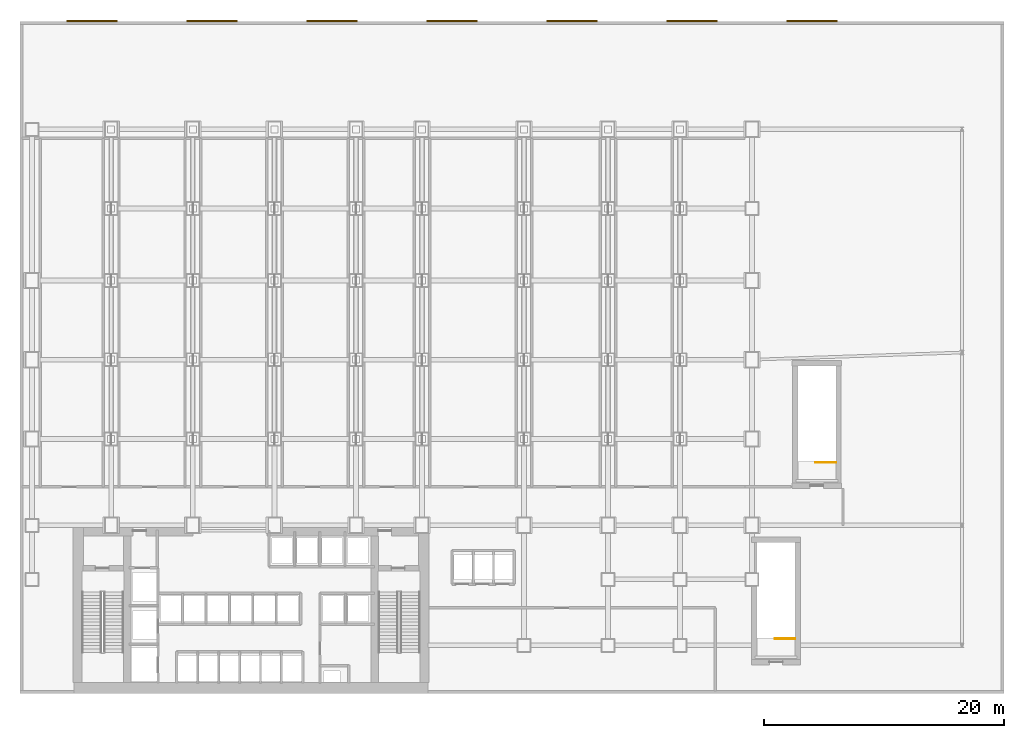
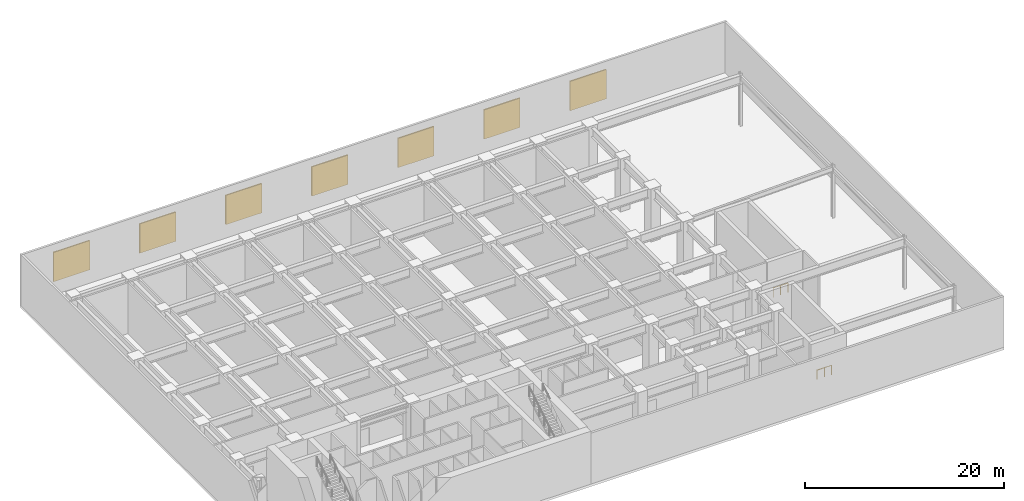
# One storey, part 15 of 15: 7 shading devices, 2 railings.
"""IFC4 building model written with IfcOpenShell, lengths in metres."""

from ifc_helpers import new_model, si_unit, derived_unit, direction, frame, origin, origin_2d, place, context, subcontext, project, spatial, rectangle, circle, extrude, source, transform, mapped, material, type_object, element, save


model = new_model("IFC4")

# Units and contexts
model_context = context("Model", 3, precision=1e-05, world=origin(), true_north=direction((0.0, 1.0)))
body_context = subcontext(model_context, "Body", "Model", "MODEL_VIEW")
ifc_project = project(units=[si_unit("LENGTHUNIT", "METRE"), si_unit("AREAUNIT", "SQUARE_METRE"), si_unit("VOLUMEUNIT", "CUBIC_METRE"), si_unit("PLANEANGLEUNIT", "RADIAN"), si_unit("MASSUNIT", "GRAM", prefix="KILO"), derived_unit("THERMALTRANSMITTANCEUNIT", [(si_unit("POWERUNIT", "WATT"), 1), (si_unit("LENGTHUNIT", "METRE"), -2), (si_unit("THERMODYNAMICTEMPERATUREUNIT", "KELVIN"), -1)])], contexts=[model_context])

# Site, building, storey
site_placement = place(None, origin())
site = spatial("IfcSite", under=ifc_project, at=site_placement, CompositionType="ELEMENT")
building_placement = place(site_placement, origin())
building = spatial("IfcBuilding", under=site, at=building_placement, Name="Skarnbrae Concourse Arena and Tower", CompositionType="ELEMENT")
storey_placement = place(building_placement, frame((0.0, 0.0, 26.0)))
storey = spatial("IfcBuildingStorey", under=building, at=storey_placement, Name="L05", CompositionType="ELEMENT", Elevation=26.0)

# Railings
ifc_material_1 = material(Name="Steel CSA G40.21 350W", Category="steel")
railing_type = type_object("IfcRailingType", Name="RAIL-STAIR-GUARD-1150", PredefinedType="GUARDRAIL", material=ifc_material_1)
railing_1_placement = place(storey_placement, frame((64.60009765625, 4.550048828125, 0.0)))
element("IfcRailing", 1, at=railing_1_placement, inside=storey, type_object=railing_type, Name="L05 ST-A1 top well guard 1", PredefinedType="GUARDRAIL", context=body_context, shape_type="SweptSolid", body=[
    extrude(circle(Radius=0.02392578125, at=origin_2d()), frame((0.0, 0.0, 1.1259765625), z_axis=(-1.0, 0.0, 0.0), x_axis=(0.0, -1.0, 0.0)), (0.0, 0.0, 1.0), 1.7001953125),
    extrude(circle(Radius=0.02099609375, at=origin_2d()), origin(), (0.0, 0.0, 1.0), 1.101806640625),
    extrude(circle(Radius=0.02099609375, at=origin_2d()), frame((-0.85009765625, 0.0, 0.0)), (0.0, 0.0, 1.0), 1.101806640625),
    extrude(circle(Radius=0.02099609375, at=origin_2d()), frame((-1.7001953125, 0.0, 0.0)), (0.0, 0.0, 1.0), 1.101806640625),
])
railing_2_placement = place(storey_placement, frame((68.0, 19.25, 0.0)))
element("IfcRailing", 2, at=railing_2_placement, inside=storey, type_object=railing_type, Name="L05 ST-A2 top well guard 1", PredefinedType="GUARDRAIL", context=body_context, shape_type="SweptSolid", body=[
    extrude(circle(Radius=0.02392578125, at=origin_2d()), frame((0.0, 0.0, 1.1259765625), z_axis=(-1.0, 0.0, 0.0), x_axis=(0.0, -1.0, 0.0)), (0.0, 0.0, 1.0), 1.699951171875),
    extrude(circle(Radius=0.02099609375, at=origin_2d()), origin(), (0.0, 0.0, 1.0), 1.101806640625),
    extrude(circle(Radius=0.02099609375, at=origin_2d()), frame((-0.85009765625, 0.0, 0.0)), (0.0, 0.0, 1.0), 1.101806640625),
    extrude(circle(Radius=0.02099609375, at=origin_2d()), frame((-1.699951171875, 0.0, 0.0)), (0.0, 0.0, 1.0), 1.101806640625),
])

# Shading devices
ifc_material_2 = material(Name="Bronze anodised aluminium 6063-T6", Category="aluminium")
shading_device_type = type_object("IfcShadingDeviceType", Name="SHD-BRONZE-LOUVRE-150", PredefinedType="USERDEFINED", material=ifc_material_2)
shared_shape = source(origin(), body_context, "Body", "SweptSolid", [
    extrude(rectangle(XDim=4.199951171875, YDim=0.139892578125, at=origin_2d()), origin(), (0.0, 0.0, 1.0), 3.60009765625),
])
for number, where, z_axis, x_axis, name in (
    (3, (6.0, 56.0400390625, 1.449951171875), (0.0, 0.0, 1.0), (1.0, 0.0, 0.0), "L05 Transfer plant acoustic intake louvre N01"),
    (4, (16.0, 56.0400390625, 1.449951171875), (0.0, 0.0, 1.0), (1.0, 0.0, 0.0), "L05 Transfer plant acoustic intake louvre N02"),
    (5, (26.0, 56.0400390625, 1.449951171875), (0.0, 0.0, 1.0), (1.0, 0.0, 0.0), "L05 Transfer plant acoustic intake louvre N03"),
    (6, (36.0, 56.0400390625, 1.449951171875), (0.0, 0.0, 1.0), (1.0, 0.0, 0.0), "L05 Transfer plant acoustic intake louvre N04"),
    (7, (46.0, 56.0400390625, 1.449951171875), (0.0, 0.0, 1.0), (1.0, 0.0, 0.0), "L05 Transfer plant acoustic intake louvre N05"),
    (8, (56.0, 56.0400390625, 1.449951171875), (0.0, 0.0, 1.0), (1.0, 0.0, 0.0), "L05 Transfer plant acoustic intake louvre N06"),
    (9, (66.0, 56.0400390625, 1.449951171875), (0.0, 0.0, 1.0), (1.0, 0.0, 0.0), "L05 Transfer plant acoustic intake louvre N07"),
):
    element("IfcShadingDevice", number, at=place(storey_placement, frame(where, z_axis=z_axis, x_axis=x_axis)), inside=storey, type_object=shading_device_type, Name=name, ObjectType="LOUVRE", PredefinedType="USERDEFINED", context=body_context, shape_type="MappedRepresentation", body=[
        mapped(shared_shape, transform((0.0, 0.0, 0.0))),
    ])

save(model, "model.ifc")
